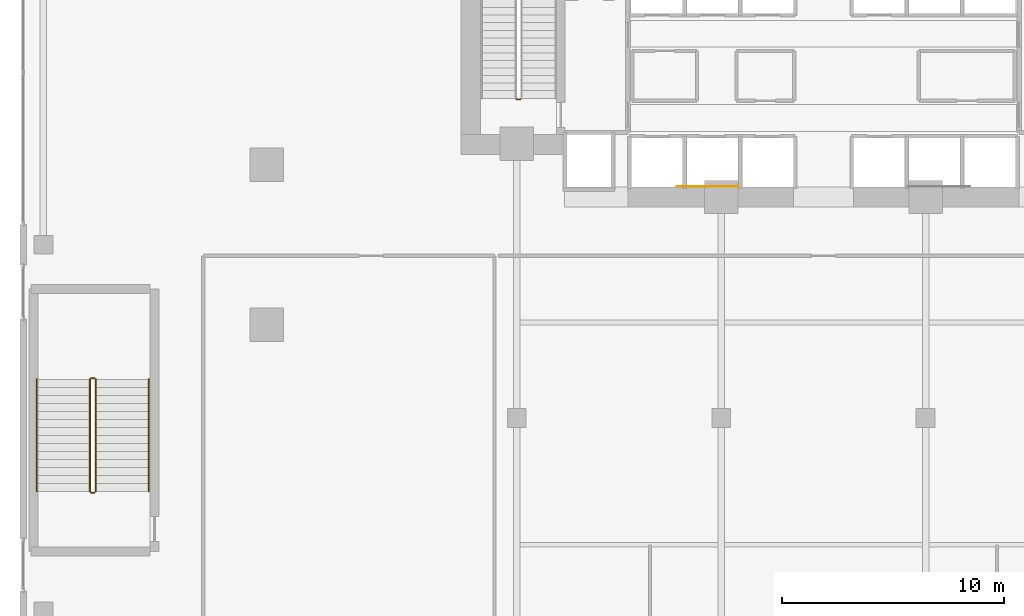
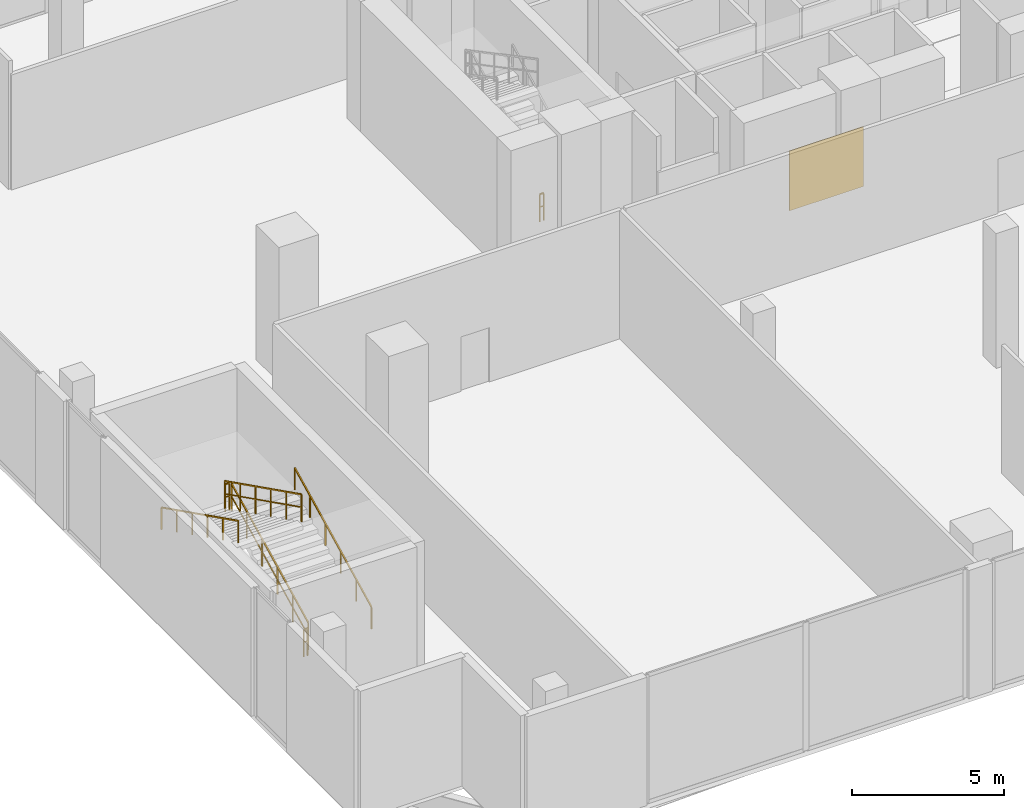
# One storey, part 27 of 30: 7 railings, 1 covering.
"""IFC4 building model written with IfcOpenShell, lengths in metres."""

from ifc_helpers import new_model, si_unit, direction, frame, origin, origin_2d, place, context, subcontext, project, spatial, rectangle, extrude, material, layer, layer_set, type_object, element, save


model = new_model("IFC4")

# Units and contexts
model_context = context("Model", 3, precision=1e-05, world=origin(), true_north=direction((0.0, 1.0)))
body_context = subcontext(model_context, "Body", "Model", "MODEL_VIEW")
ifc_project = project(units=[si_unit("LENGTHUNIT", "METRE"), si_unit("AREAUNIT", "SQUARE_METRE"), si_unit("VOLUMEUNIT", "CUBIC_METRE"), si_unit("PLANEANGLEUNIT", "RADIAN"), si_unit("MASSUNIT", "GRAM", prefix="KILO")], contexts=[model_context])

# Site, building, storey
site_placement = place(None, origin())
site = spatial("IfcSite", under=ifc_project, at=site_placement, CompositionType="ELEMENT")
building_placement = place(site_placement, origin())
building = spatial("IfcBuilding", under=site, at=building_placement, Name="Zuhayl Quay Hotel", CompositionType="ELEMENT")
storey_placement = place(building_placement, frame((0.0, 0.0, 6.0)))
storey = spatial("IfcBuildingStorey", under=building, at=storey_placement, Name="L01", CompositionType="ELEMENT", Elevation=6.0)

# Covering
ifc_material_1 = material(Name="Acoustic Walnut Feature Timber", Category="wood")
ifc_layer = layer(ifc_material_1, 0.02197265625, Name="Acoustic Walnut Feature Timber", Category="wood")
ifc_layer_set = layer_set([ifc_layer], Name="Acoustic Walnut Feature Timber")
covering_type = type_object("IfcCoveringType", Name="CV_WALL_CLAD", PredefinedType="CLADDING", material=ifc_layer_set)
covering_placement = place(storey_placement, frame((-5.199951171875, 2.611083984375, 0.300048828125), z_axis=(0.0, 0.0, 1.0), x_axis=(1.0, 0.0, 0.0)))
element("IfcCovering", 1, at=covering_placement, inside=storey, type_object=covering_type, Name="L01 Feature Lobby Walnut Wall Cladding W", PredefinedType="CLADDING", context=body_context, shape_type="SweptSolid", body=[
    extrude(rectangle(XDim=2.800048828125, YDim=0.02197265625, at=origin_2d()), origin(), (0.0, 0.0, 1.0), 2.39990234375),
])

# Railings
ifc_material_2 = material(Name="Steel ASTM A992 Grade 50", Category="steel")
railing_type_1 = type_object("IfcRailingType", Name="RL_GUARD_1100", PredefinedType="GUARDRAIL", material=ifc_material_2)
railing_1_placement = place(storey_placement, frame((-13.639892578125, 6.5400390625, 0.0)))
element("IfcRailing", 2, at=railing_1_placement, inside=storey, type_object=railing_type_1, Name="L01 ST1 stair guard 4", PredefinedType="GUARDRAIL", context=body_context, shape_type="SweptSolid", body=[
    extrude(rectangle(XDim=0.048095703125, YDim=0.048095703125, at=origin_2d()), frame((0.0, 0.0, 1.09619140625), z_axis=(-1.0, 0.0, 0.0), x_axis=(0.0, -1.0, 0.0)), (0.0, 0.0, 1.0), 0.150146484375),
    extrude(rectangle(XDim=0.0361328125, YDim=0.0361328125, at=origin_2d()), frame((0.0, 0.0, 0.58251953125), z_axis=(-1.0, 0.0, 0.0), x_axis=(0.0, -1.0, 0.0)), (0.0, 0.0, 1.0), 0.150146484375),
    extrude(rectangle(XDim=0.0419921875, YDim=0.0419921875, at=origin_2d()), origin(), (0.0, 0.0, 1.0), 1.072021484375),
    extrude(rectangle(XDim=0.0419921875, YDim=0.0419921875, at=origin_2d()), frame((-0.150146484375, 0.0, 0.0)), (0.0, 0.0, 1.0), 1.072021484375),
])
railing_2_placement = place(storey_placement, frame((-32.75, -11.10009765625, 0.179931640625)))
element("IfcRailing", 3, at=railing_2_placement, inside=storey, type_object=railing_type_1, Name="L01 ST3 stair guard 1", PredefinedType="GUARDRAIL", context=body_context, shape_type="SweptSolid", body=[
    extrude(rectangle(XDim=0.048095703125, YDim=0.048095703125, at=origin_2d()), frame((0.0, 0.0, 1.09619140625), z_axis=(0.0, 0.894427191, 0.4472135955), x_axis=(-1.0, 0.0, 0.0)), (0.0, 0.0, 1.0), 5.635009765625),
    extrude(rectangle(XDim=0.0361328125, YDim=0.0361328125, at=origin_2d()), frame((0.0, 0.0, 0.58251953125), z_axis=(0.0, 0.894427191, 0.4472135955), x_axis=(-1.0, 0.0, 0.0)), (0.0, 0.0, 1.0), 5.635009765625),
    extrude(rectangle(XDim=0.0419921875, YDim=0.0419921875, at=origin_2d()), origin(), (0.0, 0.0, 1.0), 1.072021484375),
    extrude(rectangle(XDim=0.0419921875, YDim=0.0419921875, at=origin_2d()), frame((0.0, 1.008056640625, 0.50390625)), (0.0, 0.0, 1.0), 1.072021484375),
    extrude(rectangle(XDim=0.0419921875, YDim=0.0419921875, at=origin_2d()), frame((0.0, 2.01611328125, 1.008056640625)), (0.0, 0.0, 1.0), 1.072021484375),
    extrude(rectangle(XDim=0.0419921875, YDim=0.0419921875, at=origin_2d()), frame((0.0, 3.02392578125, 1.511962890625)), (0.0, 0.0, 1.0), 1.072021484375),
    extrude(rectangle(XDim=0.0419921875, YDim=0.0419921875, at=origin_2d()), frame((0.0, 4.031982421875, 2.01611328125)), (0.0, 0.0, 1.0), 1.072021484375),
    extrude(rectangle(XDim=0.0419921875, YDim=0.0419921875, at=origin_2d()), frame((0.0, 5.0400390625, 2.52001953125)), (0.0, 0.0, 1.0), 1.072021484375),
])
railing_3_placement = place(storey_placement, frame((-32.800048828125, -6.010009765625, 2.699951171875)))
element("IfcRailing", 4, at=railing_3_placement, inside=storey, type_object=railing_type_1, Name="L01 ST3 stair guard 2", PredefinedType="GUARDRAIL", context=body_context, shape_type="SweptSolid", body=[
    extrude(rectangle(XDim=0.048095703125, YDim=0.048095703125, at=origin_2d()), frame((0.0, 0.0, 1.09619140625), z_axis=(-1.0, 0.0, 0.0), x_axis=(0.0, -1.0, 0.0)), (0.0, 0.0, 1.0), 0.14990234375),
    extrude(rectangle(XDim=0.0361328125, YDim=0.0361328125, at=origin_2d()), frame((0.0, 0.0, 0.58251953125), z_axis=(-1.0, 0.0, 0.0), x_axis=(0.0, -1.0, 0.0)), (0.0, 0.0, 1.0), 0.14990234375),
    extrude(rectangle(XDim=0.0419921875, YDim=0.0419921875, at=origin_2d()), origin(), (0.0, 0.0, 1.0), 1.072021484375),
    extrude(rectangle(XDim=0.0419921875, YDim=0.0419921875, at=origin_2d()), frame((-0.14990234375, 0.0, 0.0)), (0.0, 0.0, 1.0), 1.072021484375),
])
railing_4_placement = place(storey_placement, frame((-33.0, -6.06005859375, 2.8798828125)))
element("IfcRailing", 5, at=railing_4_placement, inside=storey, type_object=railing_type_1, Name="L01 ST3 stair guard 3", PredefinedType="GUARDRAIL", context=body_context, shape_type="SweptSolid", body=[
    extrude(rectangle(XDim=0.048095703125, YDim=0.048095703125, at=origin_2d()), frame((0.0, 0.0, 1.09619140625), z_axis=(0.0, -0.894427191, 0.4472135955), x_axis=(1.0, 0.0, 0.0)), (0.0, 0.0, 1.0), 5.635009765625),
    extrude(rectangle(XDim=0.0361328125, YDim=0.0361328125, at=origin_2d()), frame((0.0, 0.0, 0.58251953125), z_axis=(0.0, -0.894427191, 0.4472135955), x_axis=(1.0, 0.0, 0.0)), (0.0, 0.0, 1.0), 5.635009765625),
    extrude(rectangle(XDim=0.0419921875, YDim=0.0419921875, at=origin_2d()), origin(), (0.0, 0.0, 1.0), 1.072021484375),
    extrude(rectangle(XDim=0.0419921875, YDim=0.0419921875, at=origin_2d()), frame((0.0, -1.008056640625, 0.50390625)), (0.0, 0.0, 1.0), 1.072021484375),
    extrude(rectangle(XDim=0.0419921875, YDim=0.0419921875, at=origin_2d()), frame((0.0, -2.01611328125, 1.008056640625)), (0.0, 0.0, 1.0), 1.072021484375),
    extrude(rectangle(XDim=0.0419921875, YDim=0.0419921875, at=origin_2d()), frame((0.0, -3.02392578125, 1.511962890625)), (0.0, 0.0, 1.0), 1.072021484375),
    extrude(rectangle(XDim=0.0419921875, YDim=0.0419921875, at=origin_2d()), frame((0.0, -4.031982421875, 2.01611328125)), (0.0, 0.0, 1.0), 1.072021484375),
    extrude(rectangle(XDim=0.0419921875, YDim=0.0419921875, at=origin_2d()), frame((0.0, -5.0400390625, 2.52001953125)), (0.0, 0.0, 1.0), 1.072021484375),
])
railing_5_placement = place(storey_placement, frame((-32.800048828125, -11.14990234375, 0.0)))
element("IfcRailing", 6, at=railing_5_placement, inside=storey, type_object=railing_type_1, Name="L01 ST3 stair guard 4", PredefinedType="GUARDRAIL", context=body_context, shape_type="SweptSolid", body=[
    extrude(rectangle(XDim=0.048095703125, YDim=0.048095703125, at=origin_2d()), frame((0.0, 0.0, 1.09619140625), z_axis=(-1.0, 0.0, 0.0), x_axis=(0.0, -1.0, 0.0)), (0.0, 0.0, 1.0), 0.14990234375),
    extrude(rectangle(XDim=0.0361328125, YDim=0.0361328125, at=origin_2d()), frame((0.0, 0.0, 0.58251953125), z_axis=(-1.0, 0.0, 0.0), x_axis=(0.0, -1.0, 0.0)), (0.0, 0.0, 1.0), 0.14990234375),
    extrude(rectangle(XDim=0.0419921875, YDim=0.0419921875, at=origin_2d()), origin(), (0.0, 0.0, 1.0), 1.072021484375),
    extrude(rectangle(XDim=0.0419921875, YDim=0.0419921875, at=origin_2d()), frame((-0.14990234375, 0.0, 0.0)), (0.0, 0.0, 1.0), 1.072021484375),
])
railing_type_2 = type_object("IfcRailingType", Name="RL_HANDRAIL_920", PredefinedType="HANDRAIL", material=ifc_material_2)
railing_6_placement = place(storey_placement, frame((-30.35009765625, -11.10009765625, 0.179931640625)))
element("IfcRailing", 7, at=railing_6_placement, inside=storey, type_object=railing_type_2, Name="L01 ST3 stair handrail 1", PredefinedType="HANDRAIL", context=body_context, shape_type="SweptSolid", body=[
    extrude(rectangle(XDim=0.048095703125, YDim=0.048095703125, at=origin_2d()), frame((0.0, 0.0, 0.8759765625), z_axis=(0.0, 0.894427191, 0.4472135955), x_axis=(-1.0, 0.0, 0.0)), (0.0, 0.0, 1.0), 5.635009765625),
    extrude(rectangle(XDim=0.0419921875, YDim=0.0419921875, at=origin_2d()), origin(), (0.0, 0.0, 1.0), 0.851806640625),
    extrude(rectangle(XDim=0.0419921875, YDim=0.0419921875, at=origin_2d()), frame((0.0, 1.008056640625, 0.50390625)), (0.0, 0.0, 1.0), 0.851806640625),
    extrude(rectangle(XDim=0.0419921875, YDim=0.0419921875, at=origin_2d()), frame((0.0, 2.01611328125, 1.008056640625)), (0.0, 0.0, 1.0), 0.851806640625),
    extrude(rectangle(XDim=0.0419921875, YDim=0.0419921875, at=origin_2d()), frame((0.0, 3.02392578125, 1.511962890625)), (0.0, 0.0, 1.0), 0.851806640625),
    extrude(rectangle(XDim=0.0419921875, YDim=0.0419921875, at=origin_2d()), frame((0.0, 4.031982421875, 2.01611328125)), (0.0, 0.0, 1.0), 0.851806640625),
    extrude(rectangle(XDim=0.0419921875, YDim=0.0419921875, at=origin_2d()), frame((0.0, 5.0400390625, 2.52001953125)), (0.0, 0.0, 1.0), 0.851806640625),
])
railing_7_placement = place(storey_placement, frame((-35.39990234375, -6.06005859375, 2.8798828125)))
element("IfcRailing", 8, at=railing_7_placement, inside=storey, type_object=railing_type_2, Name="L01 ST3 stair handrail 2", PredefinedType="HANDRAIL", context=body_context, shape_type="SweptSolid", body=[
    extrude(rectangle(XDim=0.048095703125, YDim=0.048095703125, at=origin_2d()), frame((0.0, 0.0, 0.8759765625), z_axis=(0.0, -0.894427191, 0.4472135955), x_axis=(1.0, 0.0, 0.0)), (0.0, 0.0, 1.0), 5.635009765625),
    extrude(rectangle(XDim=0.0419921875, YDim=0.0419921875, at=origin_2d()), origin(), (0.0, 0.0, 1.0), 0.851806640625),
    extrude(rectangle(XDim=0.0419921875, YDim=0.0419921875, at=origin_2d()), frame((0.0, -1.008056640625, 0.50390625)), (0.0, 0.0, 1.0), 0.851806640625),
    extrude(rectangle(XDim=0.0419921875, YDim=0.0419921875, at=origin_2d()), frame((0.0, -2.01611328125, 1.008056640625)), (0.0, 0.0, 1.0), 0.851806640625),
    extrude(rectangle(XDim=0.0419921875, YDim=0.0419921875, at=origin_2d()), frame((0.0, -3.02392578125, 1.511962890625)), (0.0, 0.0, 1.0), 0.851806640625),
    extrude(rectangle(XDim=0.0419921875, YDim=0.0419921875, at=origin_2d()), frame((0.0, -4.031982421875, 2.01611328125)), (0.0, 0.0, 1.0), 0.851806640625),
    extrude(rectangle(XDim=0.0419921875, YDim=0.0419921875, at=origin_2d()), frame((0.0, -5.0400390625, 2.52001953125)), (0.0, 0.0, 1.0), 0.851806640625),
])

save(model, "model.ifc")
